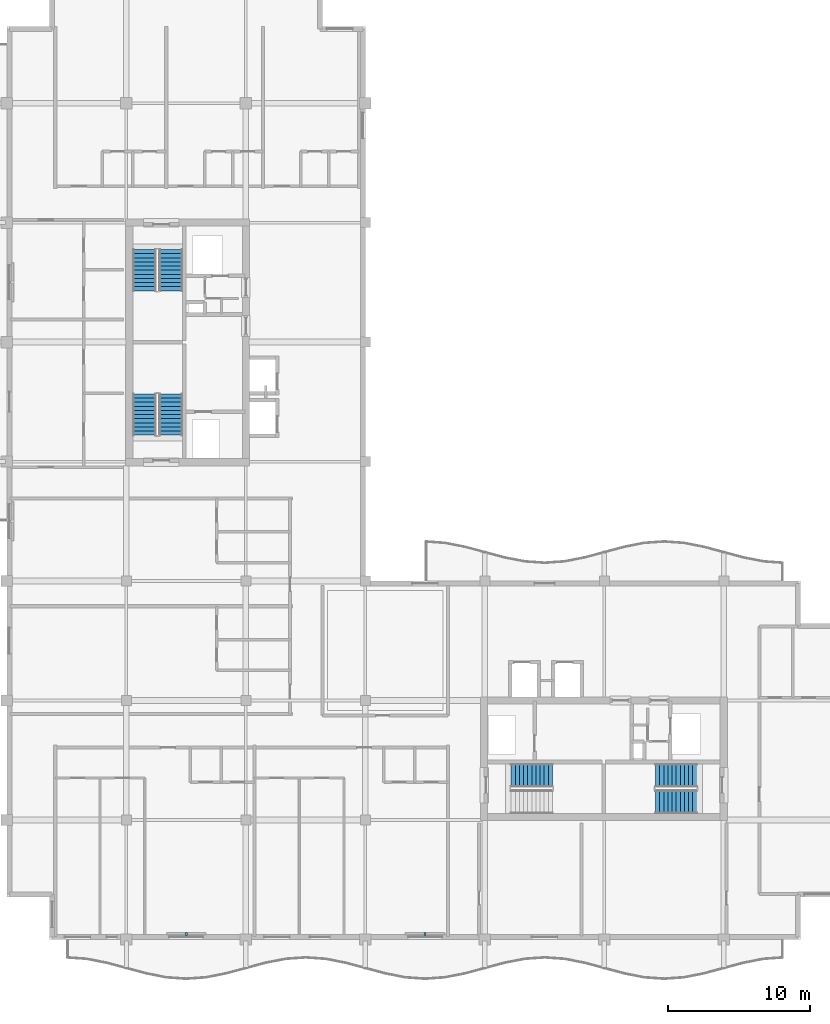
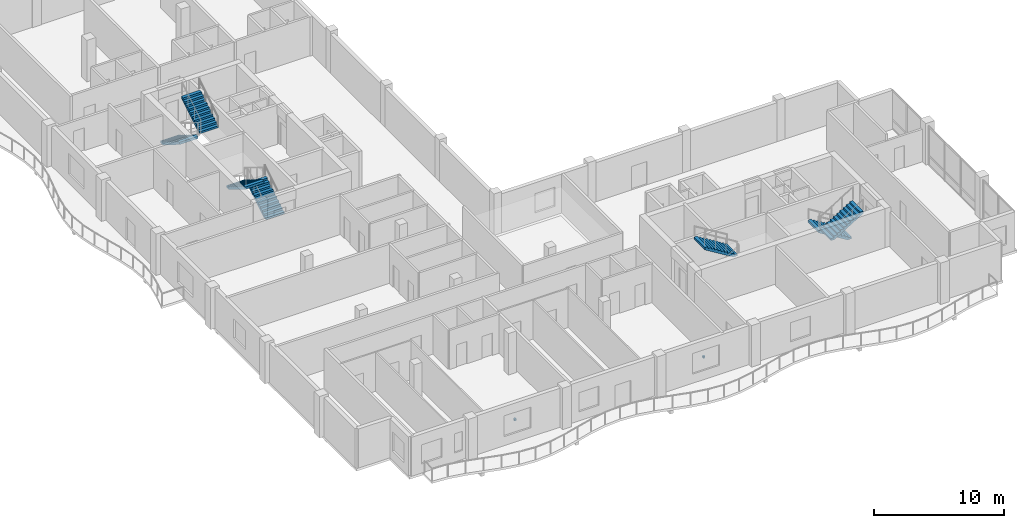
# One storey, part 11 of 15: 7 stair flights, 2 discrete accessories, 4 elements without a shape of their own.
"""IFC4 building model written with IfcOpenShell, lengths in metres."""

from ifc_helpers import new_model, si_unit, direction, frame, origin, origin_2d, place, context, subcontext, project, spatial, polyline, rectangle, outline, extrude, material, type_object, element, aggregate, save


model = new_model("IFC4")

# Units and contexts
model_context = context("Model", 3, precision=1e-05, world=origin(), true_north=direction((0.0, 1.0)))
body_context = subcontext(model_context, "Body", "Model", "MODEL_VIEW")
ifc_project = project(units=[si_unit("LENGTHUNIT", "METRE"), si_unit("AREAUNIT", "SQUARE_METRE"), si_unit("VOLUMEUNIT", "CUBIC_METRE"), si_unit("PLANEANGLEUNIT", "RADIAN"), si_unit("MASSUNIT", "GRAM", prefix="KILO")], contexts=[model_context])

# Site, building, storey
site_placement = place(None, origin())
site = spatial("IfcSite", under=ifc_project, at=site_placement, CompositionType="ELEMENT")
building_placement = place(site_placement, origin())
building = spatial("IfcBuilding", under=site, at=building_placement, Name="Koriwani Terraces Tower", CompositionType="ELEMENT")
storey_placement = place(building_placement, frame((0.0, 0.0, 324.199951171875)))
storey = spatial("IfcBuildingStorey", under=building, at=storey_placement, Name="L80", CompositionType="ELEMENT", Elevation=324.199951171875)

# Stair, stair flights
ifc_material_1 = material(Name="Concrete C40/50", Category="concrete")
stair_type = type_object("IfcStairType", Name="STAIR_CORE_DOGLEG_1650", PredefinedType="TWO_STRAIGHT_RUN_STAIR", material=ifc_material_1)
stair_1_placement = place(storey_placement, origin())
stair_1 = element("IfcStair", 1, at=stair_1_placement, inside=storey, type_object=stair_type, Name="L80 West Core Exit Stair 1", PredefinedType="HALF_TURN_STAIR")
stair_flight_type = type_object("IfcStairFlightType", Name="STAIR_FLIGHT_RC_1650", PredefinedType="STRAIGHT", material=ifc_material_1)
stair_flight_1_placement = place(storey_placement, frame((19.925048828125, 43.85009765625, 0.0), z_axis=(0.0, 0.0, 1.0), x_axis=(0.0, 1.0, 0.0)))
stair_flight_1 = element("IfcStairFlight", 2, at=stair_flight_1_placement, type_object=stair_flight_type, Name="ST-W1 flight 1", NumberOfRisers=11, NumberOfTreads=10, PredefinedType="STRAIGHT", RiserHeight=0.177272727, TreadLength=0.29, context=body_context, shape_type="SweptSolid", body=[
    extrude(outline(polyline([(0.0, 0.0), (0.0, 0.17724609375), (0.2900390625, 0.17724609375), (0.2900390625, 0.3544921875), (0.580078125, 0.3544921875), (0.580078125, 0.53173828125), (0.8701171875, 0.53173828125), (0.8701171875, 0.708984375), (1.159912109375, 0.708984375), (1.159912109375, 0.886474609375), (1.449951171875, 0.886474609375), (1.449951171875, 1.063720703125), (1.739990234375, 1.063720703125), (1.739990234375, 1.240966796875), (2.030029296875, 1.240966796875), (2.030029296875, 1.418212890625), (2.320068359375, 1.418212890625), (2.320068359375, 1.595458984375), (2.610107421875, 1.595458984375), (2.610107421875, 1.772705078125), (2.89990234375, 1.772705078125), (2.89990234375, 1.949951171875), (2.89990234375, 1.561767578125), (0.344970703125, 0.0), (0.0, 0.0)])), frame((0.0, 0.824951171875, 0.0), z_axis=(0.0, -1.0, 0.0), x_axis=(1.0, 0.0, 0.0)), (0.0, 0.0, 1.0), 1.64990234375),
])
stair_flight_2_placement = place(storey_placement, frame((18.074951171875, 46.75, 1.949951171875), z_axis=(0.0, 0.0, 1.0), x_axis=(0.0, -1.0, 0.0)))
stair_flight_2 = element("IfcStairFlight", 3, at=stair_flight_2_placement, type_object=stair_flight_type, Name="ST-W1 flight 2", NumberOfRisers=11, NumberOfTreads=10, PredefinedType="STRAIGHT", RiserHeight=0.177272727, TreadLength=0.29, context=body_context, shape_type="SweptSolid", body=[
    extrude(outline(polyline([(0.0, 0.0), (0.0, 0.17724609375), (0.2900390625, 0.17724609375), (0.2900390625, 0.3544921875), (0.580078125, 0.3544921875), (0.580078125, 0.53173828125), (0.8701171875, 0.53173828125), (0.8701171875, 0.708984375), (1.159912109375, 0.708984375), (1.159912109375, 0.886474609375), (1.449951171875, 0.886474609375), (1.449951171875, 1.063720703125), (1.739990234375, 1.063720703125), (1.739990234375, 1.240966796875), (2.030029296875, 1.240966796875), (2.030029296875, 1.418212890625), (2.320068359375, 1.418212890625), (2.320068359375, 1.595458984375), (2.610107421875, 1.595458984375), (2.610107421875, 1.772705078125), (2.89990234375, 1.772705078125), (2.89990234375, 1.949951171875), (2.89990234375, 1.561767578125), (0.344970703125, 0.0), (0.0, 0.0)])), frame((0.0, 0.824951171875, 0.0), z_axis=(0.0, -1.0, 0.0), x_axis=(1.0, 0.0, 0.0)), (0.0, 0.0, 1.0), 1.64990234375),
])
aggregate(stair_1, [stair_flight_1, stair_flight_2])

stair_2_placement = place(storey_placement, origin())
stair_2 = element("IfcStair", 4, at=stair_2_placement, inside=storey, type_object=stair_type, Name="L80 West Core Exit Stair 2", PredefinedType="HALF_TURN_STAIR")
stair_flight_3_placement = place(storey_placement, frame((18.074951171875, 56.89990234375, 0.0), z_axis=(0.0, 0.0, 1.0), x_axis=(0.0, -1.0, 0.0)))
stair_flight_3 = element("IfcStairFlight", 5, at=stair_flight_3_placement, type_object=stair_flight_type, Name="ST-W2 flight 1", NumberOfRisers=11, NumberOfTreads=10, PredefinedType="STRAIGHT", RiserHeight=0.177272727, TreadLength=0.29, context=body_context, shape_type="SweptSolid", body=[
    extrude(outline(polyline([(0.0, 0.0), (0.0, 0.17724609375), (0.2900390625, 0.17724609375), (0.2900390625, 0.3544921875), (0.580078125, 0.3544921875), (0.580078125, 0.53173828125), (0.8701171875, 0.53173828125), (0.8701171875, 0.708984375), (1.159912109375, 0.708984375), (1.159912109375, 0.886474609375), (1.449951171875, 0.886474609375), (1.449951171875, 1.063720703125), (1.739990234375, 1.063720703125), (1.739990234375, 1.240966796875), (2.030029296875, 1.240966796875), (2.030029296875, 1.418212890625), (2.320068359375, 1.418212890625), (2.320068359375, 1.595458984375), (2.610107421875, 1.595458984375), (2.610107421875, 1.772705078125), (2.89990234375, 1.772705078125), (2.89990234375, 1.949951171875), (2.89990234375, 1.561767578125), (0.344970703125, 0.0), (0.0, 0.0)])), frame((0.0, 0.824951171875, 0.0), z_axis=(0.0, -1.0, 0.0), x_axis=(1.0, 0.0, 0.0)), (0.0, 0.0, 1.0), 1.64990234375),
])
stair_flight_4_placement = place(storey_placement, frame((19.925048828125, 54.0, 1.949951171875), z_axis=(0.0, 0.0, 1.0), x_axis=(0.0, 1.0, 0.0)))
stair_flight_4 = element("IfcStairFlight", 6, at=stair_flight_4_placement, type_object=stair_flight_type, Name="ST-W2 flight 2", NumberOfRisers=11, NumberOfTreads=10, PredefinedType="STRAIGHT", RiserHeight=0.177272727, TreadLength=0.29, context=body_context, shape_type="SweptSolid", body=[
    extrude(outline(polyline([(0.0, 0.0), (0.0, 0.17724609375), (0.2900390625, 0.17724609375), (0.2900390625, 0.3544921875), (0.580078125, 0.3544921875), (0.580078125, 0.53173828125), (0.8701171875, 0.53173828125), (0.8701171875, 0.708984375), (1.159912109375, 0.708984375), (1.159912109375, 0.886474609375), (1.449951171875, 0.886474609375), (1.449951171875, 1.063720703125), (1.739990234375, 1.063720703125), (1.739990234375, 1.240966796875), (2.030029296875, 1.240966796875), (2.030029296875, 1.418212890625), (2.320068359375, 1.418212890625), (2.320068359375, 1.595458984375), (2.610107421875, 1.595458984375), (2.610107421875, 1.772705078125), (2.89990234375, 1.772705078125), (2.89990234375, 1.949951171875), (2.89990234375, 1.561767578125), (0.344970703125, 0.0), (0.0, 0.0)])), frame((0.0, 0.824951171875, 0.0), z_axis=(0.0, -1.0, 0.0), x_axis=(1.0, 0.0, 0.0)), (0.0, 0.0, 1.0), 1.64990234375),
])
aggregate(stair_2, [stair_flight_3, stair_flight_4])

# Stair, stair flight
stair_3_placement = place(storey_placement, origin())
stair_3 = element("IfcStair", 7, at=stair_3_placement, inside=storey, type_object=stair_type, Name="L80 East Core Exit Stair 1", PredefinedType="HALF_TURN_STAIR")
stair_flight_5_placement = place(storey_placement, frame((46.75, 19.925048828125, 1.949951171875), z_axis=(0.0, 0.0, 1.0), x_axis=(-1.0, 0.0, 0.0)))
stair_flight_5 = element("IfcStairFlight", 8, at=stair_flight_5_placement, type_object=stair_flight_type, Name="ST-E1 flight 2", NumberOfRisers=11, NumberOfTreads=10, PredefinedType="STRAIGHT", RiserHeight=0.177272727, TreadLength=0.29, context=body_context, shape_type="SweptSolid", body=[
    extrude(outline(polyline([(0.0, 0.0), (0.0, 0.17724609375), (0.2900390625, 0.17724609375), (0.2900390625, 0.3544921875), (0.580078125, 0.3544921875), (0.580078125, 0.53173828125), (0.8701171875, 0.53173828125), (0.8701171875, 0.708984375), (1.159912109375, 0.708984375), (1.159912109375, 0.886474609375), (1.449951171875, 0.886474609375), (1.449951171875, 1.063720703125), (1.739990234375, 1.063720703125), (1.739990234375, 1.240966796875), (2.030029296875, 1.240966796875), (2.030029296875, 1.418212890625), (2.320068359375, 1.418212890625), (2.320068359375, 1.595458984375), (2.610107421875, 1.595458984375), (2.610107421875, 1.772705078125), (2.89990234375, 1.772705078125), (2.89990234375, 1.949951171875), (2.89990234375, 1.561767578125), (0.344970703125, 0.0), (0.0, 0.0)])), frame((0.0, 0.824951171875, 0.0), z_axis=(0.0, -1.0, 0.0), x_axis=(1.0, 0.0, 0.0)), (0.0, 0.0, 1.0), 1.64990234375),
])
aggregate(stair_3, [stair_flight_5])

# Stair, stair flights
stair_4_placement = place(storey_placement, origin())
stair_4 = element("IfcStair", 9, at=stair_4_placement, inside=storey, type_object=stair_type, Name="L80 East Core Exit Stair 2", PredefinedType="HALF_TURN_STAIR")
stair_flight_6_placement = place(storey_placement, frame((56.89990234375, 19.925048828125, 0.0), z_axis=(0.0, 0.0, 1.0), x_axis=(-1.0, 0.0, 0.0)))
stair_flight_6 = element("IfcStairFlight", 10, at=stair_flight_6_placement, type_object=stair_flight_type, Name="ST-E2 flight 1", NumberOfRisers=11, NumberOfTreads=10, PredefinedType="STRAIGHT", RiserHeight=0.177272727, TreadLength=0.29, context=body_context, shape_type="SweptSolid", body=[
    extrude(outline(polyline([(0.0, 0.0), (0.0, 0.17724609375), (0.2900390625, 0.17724609375), (0.2900390625, 0.3544921875), (0.580078125, 0.3544921875), (0.580078125, 0.53173828125), (0.8701171875, 0.53173828125), (0.8701171875, 0.708984375), (1.159912109375, 0.708984375), (1.159912109375, 0.886474609375), (1.449951171875, 0.886474609375), (1.449951171875, 1.063720703125), (1.739990234375, 1.063720703125), (1.739990234375, 1.240966796875), (2.030029296875, 1.240966796875), (2.030029296875, 1.418212890625), (2.320068359375, 1.418212890625), (2.320068359375, 1.595458984375), (2.610107421875, 1.595458984375), (2.610107421875, 1.772705078125), (2.89990234375, 1.772705078125), (2.89990234375, 1.949951171875), (2.89990234375, 1.561767578125), (0.344970703125, 0.0), (0.0, 0.0)])), frame((0.0, 0.824951171875, 0.0), z_axis=(0.0, -1.0, 0.0), x_axis=(1.0, 0.0, 0.0)), (0.0, 0.0, 1.0), 1.64990234375),
])
stair_flight_7_placement = place(storey_placement, frame((54.0, 18.074951171875, 1.949951171875), z_axis=(0.0, 0.0, 1.0), x_axis=(1.0, 0.0, 0.0)))
stair_flight_7 = element("IfcStairFlight", 11, at=stair_flight_7_placement, type_object=stair_flight_type, Name="ST-E2 flight 2", NumberOfRisers=11, NumberOfTreads=10, PredefinedType="STRAIGHT", RiserHeight=0.177272727, TreadLength=0.29, context=body_context, shape_type="SweptSolid", body=[
    extrude(outline(polyline([(0.0, 0.0), (0.0, 0.17724609375), (0.2900390625, 0.17724609375), (0.2900390625, 0.3544921875), (0.580078125, 0.3544921875), (0.580078125, 0.53173828125), (0.8701171875, 0.53173828125), (0.8701171875, 0.708984375), (1.159912109375, 0.708984375), (1.159912109375, 0.886474609375), (1.449951171875, 0.886474609375), (1.449951171875, 1.063720703125), (1.739990234375, 1.063720703125), (1.739990234375, 1.240966796875), (2.030029296875, 1.240966796875), (2.030029296875, 1.418212890625), (2.320068359375, 1.418212890625), (2.320068359375, 1.595458984375), (2.610107421875, 1.595458984375), (2.610107421875, 1.772705078125), (2.89990234375, 1.772705078125), (2.89990234375, 1.949951171875), (2.89990234375, 1.561767578125), (0.344970703125, 0.0), (0.0, 0.0)])), frame((0.0, 0.824951171875, 0.0), z_axis=(0.0, -1.0, 0.0), x_axis=(1.0, 0.0, 0.0)), (0.0, 0.0, 1.0), 1.64990234375),
])
aggregate(stair_4, [stair_flight_6, stair_flight_7])

# Discrete accessories
ifc_material_2 = material(Name="Steel ASTM A572 Grade 50", Category="steel")
discrete_accessory_type = type_object("IfcDiscreteAccessoryType", Name="BAGUETTE_STANDOFF_BRACKET", PredefinedType="BRACKET", material=ifc_material_2)
for number, where, z_axis, x_axis, name in (
    (12, (21.0, 8.7900390625, 1.7451171875), (0.0, 0.0, 1.0), (-1.0, 0.0, 0.0), "L80 Terracotta Baguette Bracket (S-3)"),
    (13, (37.800048828125, 8.7900390625, 1.7451171875), (0.0, 0.0, 1.0), (-1.0, 0.0, 0.0), "L80 Terracotta Baguette Bracket (S-9)"),
):
    element("IfcDiscreteAccessory", number, at=place(storey_placement, frame(where, z_axis=z_axis, x_axis=x_axis)), inside=storey, type_object=discrete_accessory_type, Name=name, PredefinedType="BRACKET", context=body_context, shape_type="SweptSolid", body=[
        extrude(rectangle(XDim=0.159912109375, YDim=0.199951171875, at=origin_2d()), origin(), (0.0, 0.0, 1.0), 0.179931640625),
    ])

save(model, "model.ifc")
